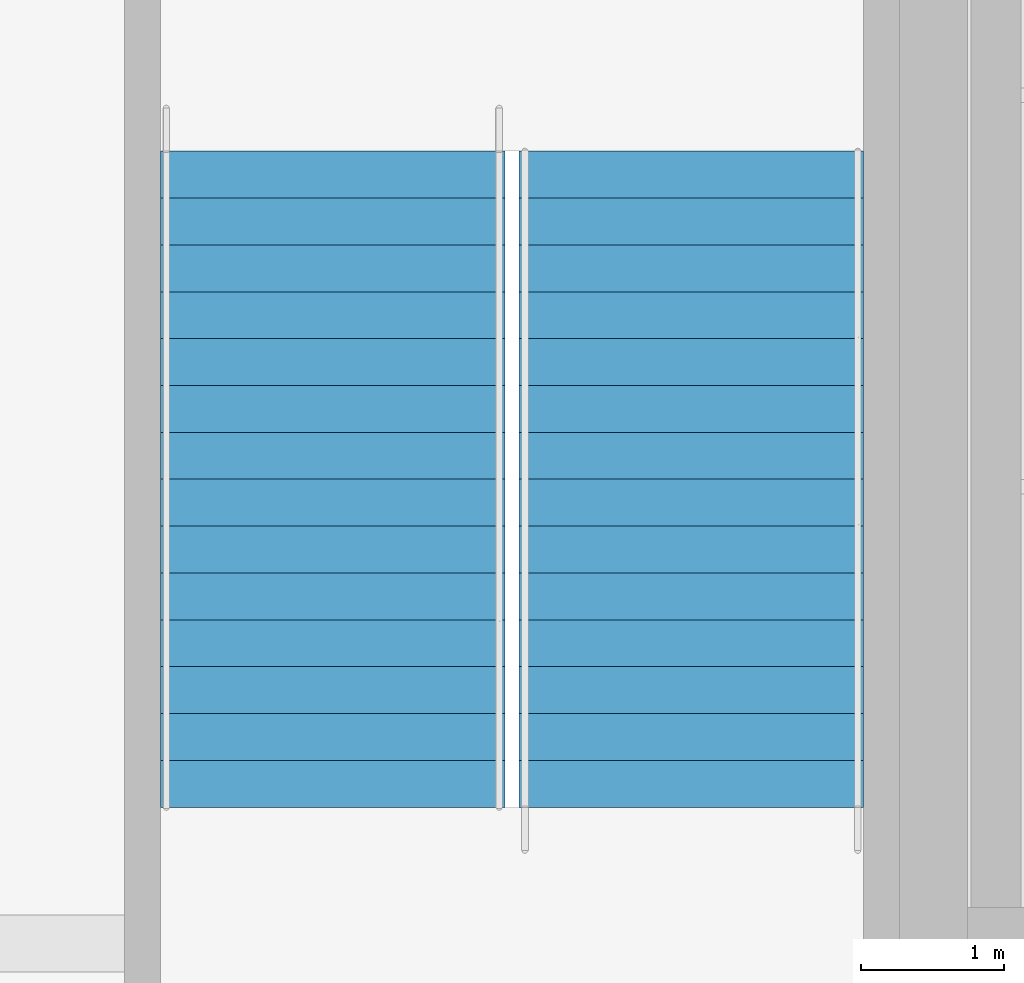
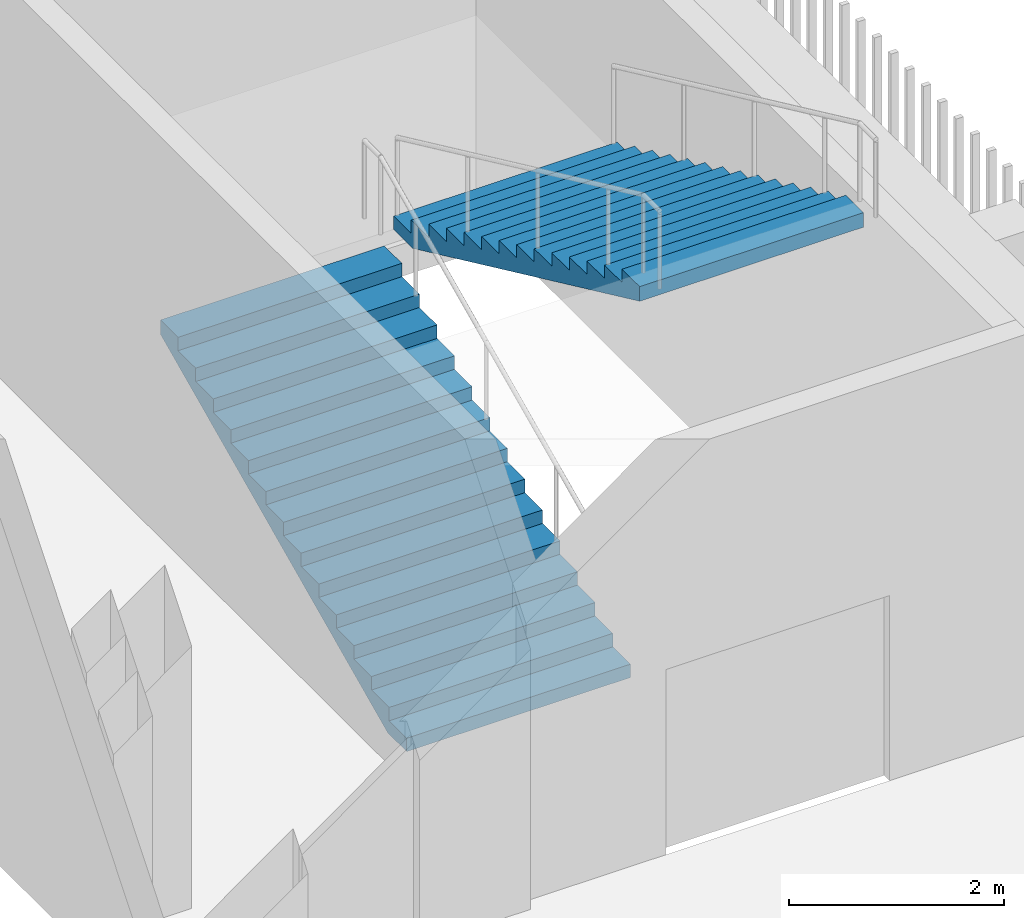
# One storey, part 85 of 124: 2 stair flights, 1 element without a shape of its own.
"""IFC4 building model written with IfcOpenShell, lengths in metres."""

import ifcopenshell
import ifcopenshell.guid

model = None  # the IFC model being written
_history = None  # IfcOwnerHistory: only IFC2X3 demands one
_inside = {}  # id of a spatial element -> (the spatial element, [elements in it])
_under = {}  # id of a project, library or spatial element -> (it, [spatial elements below it])
_declared = {}  # id of a project -> (the project, [libraries it declares])
_typed = {}  # id of a type object -> (the type object, [elements of that type])
_made_of = {}  # id of a material, layer set ... -> (it, [elements and type objects made of it])


def new_model(schema):
    """Start an empty IFC model of exactly this schema.

    Asked for "IFC4X3", IfcOpenShell would pick the latest addendum, in which some entities
    have other attributes; the version numbers below select the first issue.
    IFC2X3 requires an IfcOwnerHistory on every rooted entity: one is made here for all.
    """
    global model, _history
    if schema == "IFC4X3":
        model = ifcopenshell.file(schema_version=(4, 3, 0, 0))
    else:
        model = ifcopenshell.file(schema=schema)
    _inside.clear()
    _under.clear()
    _declared.clear()
    _typed.clear()
    _made_of.clear()
    _history = None
    if model.schema == "IFC2X3":
        org = make("IfcOrganization", Name="unknown")
        user = make(
            "IfcPersonAndOrganization",
            ThePerson=make("IfcPerson", FamilyName="unknown"),
            TheOrganization=org,
        )
        app = make(
            "IfcApplication",
            ApplicationDeveloper=org,
            Version="unknown",
            ApplicationFullName="unknown",
            ApplicationIdentifier="unknown",
        )
        _history = make(
            "IfcOwnerHistory",
            OwningUser=user,
            OwningApplication=app,
            ChangeAction="ADDED",
            CreationDate=0,
        )
    return model


def make(cls, **values):
    """One entity of the class cls with the attributes given. An attribute that is None is left unset."""
    return model.create_entity(
        cls, **{name: value for name, value in values.items() if value is not None}
    )


def rooted(cls, **values):
    """An entity with a GlobalId (a new one), such as an element, a storey or a relation."""
    return make(cls, GlobalId=ifcopenshell.guid.new(), OwnerHistory=_history, **values)


def si_unit(unit_type, name, prefix=None):
    """IfcSIUnit, for example si_unit("LENGTHUNIT", "METRE", prefix="MILLI")."""
    return make("IfcSIUnit", UnitType=unit_type, Prefix=prefix, Name=name)


def assignment(units):
    """IfcUnitAssignment: the units of a project."""
    return None if units is None else make("IfcUnitAssignment", Units=units)


def point(xyz):
    """IfcCartesianPoint."""
    return None if xyz is None else make("IfcCartesianPoint", Coordinates=xyz)


def direction(xyz):
    """IfcDirection."""
    return None if xyz is None else make("IfcDirection", DirectionRatios=xyz)


def frame(location, z_axis=None, x_axis=None):
    """IfcAxis2Placement3D, a coordinate frame: its origin and axes. An axis left out is left unset."""
    return make(
        "IfcAxis2Placement3D",
        Location=point(location),
        Axis=direction(z_axis),
        RefDirection=direction(x_axis),
    )


def origin():
    """The frame at (0, 0, 0) with its axes left unset."""
    return frame((0.0, 0.0, 0.0))


def place(relative_to, where):
    """IfcLocalPlacement: puts the frame where relative to a parent placement (None: the world)."""
    return make(
        "IfcLocalPlacement", PlacementRelTo=relative_to, RelativePlacement=where
    )


def context(
    kind, dimensions, precision=None, world=None, true_north=None, identifier=None
):
    """IfcGeometricRepresentationContext, for example the 3D "Model" context."""
    return make(
        "IfcGeometricRepresentationContext",
        ContextIdentifier=identifier,
        ContextType=kind,
        CoordinateSpaceDimension=dimensions,
        Precision=precision,
        WorldCoordinateSystem=world,
        TrueNorth=true_north,
    )


def subcontext(parent, identifier, kind, view, scale=None):
    """IfcGeometricRepresentationSubContext, for example "Body" below "Model"."""
    return make(
        "IfcGeometricRepresentationSubContext",
        ContextIdentifier=identifier,
        ContextType=kind,
        ParentContext=parent,
        TargetScale=scale,
        TargetView=view,
    )


def project(units=None, contexts=None):
    """IfcProject with its units and contexts."""
    return rooted(
        "IfcProject",
        Name="project",
        RepresentationContexts=contexts,
        UnitsInContext=assignment(units),
    )


def spatial(cls, under=None, at=None, **own):
    """A site, building, storey or space (cls), placed at a placement, below another one or the project."""
    s = rooted(cls, ObjectPlacement=at, **own)
    if under is not None:
        _under.setdefault(under.id(), (under, []))[1].append(s)
    return s


def polyline(points):
    """IfcPolyline through the points."""
    return make("IfcPolyline", Points=[point(p) for p in points])


def outline(outer, holes=None, kind="AREA"):
    """IfcArbitraryClosedProfileDef: a profile drawn as a closed curve; with holes, ...WithVoids."""
    if holes is None:
        return make("IfcArbitraryClosedProfileDef", ProfileType=kind, OuterCurve=outer)
    return make(
        "IfcArbitraryProfileDefWithVoids",
        ProfileType=kind,
        OuterCurve=outer,
        InnerCurves=holes,
    )


def extrude(swept, where, along, depth):
    """IfcExtrudedAreaSolid: the profile swept, set in the frame where, extruded along a direction by depth."""
    return make(
        "IfcExtrudedAreaSolid",
        SweptArea=swept,
        Position=where,
        ExtrudedDirection=direction(along),
        Depth=depth,
    )


def shape(context_of_items, identifier, shape_type, items):
    """IfcShapeRepresentation: the items that make up one representation, for example the "Body"."""
    return make(
        "IfcShapeRepresentation",
        ContextOfItems=context_of_items,
        RepresentationIdentifier=identifier,
        RepresentationType=shape_type,
        Items=items,
    )


def material(Name=None, Category=None):
    """IfcMaterial."""
    return make("IfcMaterial", Name=Name, Category=Category)


def made_of(thing, what):
    """Note that an element or type object is made of a material, layer set ...; save() writes the relation."""
    if what is not None:
        _made_of.setdefault(what.id(), (what, []))[1].append(thing)
    return thing


def type_object(cls, material=None, **own):
    """A type object (cls), such as IfcWallType, which elements share."""
    return made_of(rooted(cls, **own), material)


def element(
    cls,
    number,
    at=None,
    inside=None,
    cuts=None,
    type_object=None,
    material=None,
    context=None,
    identifier="Body",
    shape_type=None,
    held_by="IfcProductDefinitionShape",
    body=None,
    shapes=None,
    **own,
):
    """One element of the class cls, such as IfcWall. Its Tag is "e" and its number.

    at: its placement. inside: the storey or other place that contains it. cuts: it is an
    opening in that element (IfcRelVoidsElement). A single representation is given by context,
    identifier, shape_type and body (its items); several are given by shapes. held_by: the class
    of the entity that holds the representations. save() writes the other relations.
    """
    e = rooted(cls, Tag="e%d" % number, ObjectPlacement=at, **own)
    if body is not None:
        shapes = [shape(context, identifier, shape_type, body)]
    if shapes is not None:
        e.Representation = make(held_by, Representations=shapes)
    if inside is not None:
        _inside.setdefault(inside.id(), (inside, []))[1].append(e)
    if cuts is not None:
        rooted(
            "IfcRelVoidsElement", RelatingBuildingElement=cuts, RelatedOpeningElement=e
        )
    if type_object is not None:
        _typed.setdefault(type_object.id(), (type_object, []))[1].append(e)
    return made_of(e, material)


def aggregate(whole, parts):
    """IfcRelAggregates: a whole, such as a stair, and the parts it consists of."""
    return rooted("IfcRelAggregates", RelatingObject=whole, RelatedObjects=parts)


def save(model, path):
    """Write the relations noted so far, then the file.

    IfcRelAggregates (storeys below a building ...), IfcRelContainedInSpatialStructure (elements
    in a storey), IfcRelDefinesByType, IfcRelAssociatesMaterial and IfcRelDeclares: one each for
    every whole, place, type object, material and project.
    """
    for whole, parts in _under.values():
        aggregate(whole, parts)
    for where, things in _inside.values():
        rooted(
            "IfcRelContainedInSpatialStructure",
            RelatedElements=things,
            RelatingStructure=where,
        )
    for kind, things in _typed.values():
        rooted("IfcRelDefinesByType", RelatedObjects=things, RelatingType=kind)
    for what, things in _made_of.values():
        rooted("IfcRelAssociatesMaterial", RelatedObjects=things, RelatingMaterial=what)
    for by, libraries in _declared.values():
        rooted("IfcRelDeclares", RelatingContext=by, RelatedDefinitions=libraries)
    model.write(path)


model = new_model("IFC4")

# Units and contexts
model_context = context("Model", 3, precision=1e-05, world=origin(), true_north=direction((0.0, 1.0)))
body_context = subcontext(model_context, "Body", "Model", "MODEL_VIEW")
ifc_project = project(units=[si_unit("LENGTHUNIT", "METRE"), si_unit("AREAUNIT", "SQUARE_METRE"), si_unit("VOLUMEUNIT", "CUBIC_METRE"), si_unit("PLANEANGLEUNIT", "RADIAN"), si_unit("MASSUNIT", "GRAM", prefix="KILO")], contexts=[model_context])

# Site, building, storey
site_placement = place(None, origin())
site = spatial("IfcSite", under=ifc_project, at=site_placement, CompositionType="ELEMENT")
building_placement = place(site_placement, origin())
building = spatial("IfcBuilding", under=site, at=building_placement, Name="Shirokan Park Arena", CompositionType="ELEMENT")
storey_placement = place(building_placement, frame((0.0, 0.0, 20.02001953125)))
storey = spatial("IfcBuildingStorey", under=building, at=storey_placement, Name="L04", CompositionType="ELEMENT", Elevation=20.02001953125)

# Stair, stair flights
ifc_material = material(Name="Concrete C30 precast", Category="concrete")
stair_type = type_object("IfcStairType", Name="Stair 30 risers 152 x 327 2400 wide", PredefinedType="TWO_STRAIGHT_RUN_STAIR", material=ifc_material)
stair_placement = place(storey_placement, origin())
stair = element("IfcStair", 1, at=stair_placement, inside=storey, type_object=stair_type, Name="Exit Stair 3.A L04 to L05", PredefinedType="TWO_STRAIGHT_RUN_STAIR")
stair_flight_type = type_object("IfcStairFlightType", Name="Stair flight 15 risers 152 x 327 2400 wide", PredefinedType="STRAIGHT", material=ifc_material)
stair_flight_1_placement = place(storey_placement, frame((140.949951171875, 101.050048828125, 0.0), z_axis=(0.0, 0.0, 1.0), x_axis=(0.0, 1.0, 0.0)))
stair_flight_1 = element("IfcStairFlight", 2, at=stair_flight_1_placement, type_object=stair_flight_type, Name="ST16.5 flight 1", NumberOfRisers=15, NumberOfTreads=14, PredefinedType="STRAIGHT", RiserHeight=0.151666667, TreadLength=0.3267, context=body_context, shape_type="SweptSolid", body=[
    extrude(outline(polyline([(0.0, 0.0), (0.0, 0.151611328125), (0.32666015625, 0.151611328125), (0.32666015625, 0.30322265625), (0.6533203125, 0.30322265625), (0.6533203125, 0.455078125), (0.97998046875, 0.455078125), (0.97998046875, 0.606689453125), (1.306884765625, 0.606689453125), (1.306884765625, 0.75830078125), (1.633544921875, 0.75830078125), (1.633544921875, 0.909912109375), (1.960205078125, 0.909912109375), (1.960205078125, 1.061767578125), (2.286865234375, 1.061767578125), (2.286865234375, 1.21337890625), (2.613525390625, 1.21337890625), (2.613525390625, 1.364990234375), (2.940185546875, 1.364990234375), (2.940185546875, 1.5166015625), (3.26708984375, 1.5166015625), (3.26708984375, 1.668212890625), (3.59375, 1.668212890625), (3.59375, 1.820068359375), (3.92041015625, 1.820068359375), (3.92041015625, 1.9716796875), (4.2470703125, 1.9716796875), (4.2470703125, 2.123291015625), (4.57373046875, 2.123291015625), (4.57373046875, 2.27490234375), (4.57373046875, 1.9580078125), (0.35595703125, 0.0), (0.0, 0.0)])), frame((0.0, 1.199951171875, 0.0), z_axis=(0.0, -1.0, 0.0), x_axis=(1.0, 0.0, 0.0)), (0.0, 0.0, 1.0), 2.39990234375),
])
stair_flight_2_placement = place(storey_placement, frame((143.449951171875, 105.623779296875, 2.27490234375), z_axis=(0.0, 0.0, 1.0), x_axis=(0.0, -1.0, 0.0)))
stair_flight_2 = element("IfcStairFlight", 3, at=stair_flight_2_placement, type_object=stair_flight_type, Name="ST16.5 flight 2", NumberOfRisers=15, NumberOfTreads=14, PredefinedType="STRAIGHT", RiserHeight=0.151666667, TreadLength=0.3267, context=body_context, shape_type="SweptSolid", body=[
    extrude(outline(polyline([(0.0, 0.0), (0.0, 0.151611328125), (0.32666015625, 0.151611328125), (0.32666015625, 0.30322265625), (0.6533203125, 0.30322265625), (0.6533203125, 0.455078125), (0.97998046875, 0.455078125), (0.97998046875, 0.606689453125), (1.306884765625, 0.606689453125), (1.306884765625, 0.75830078125), (1.633544921875, 0.75830078125), (1.633544921875, 0.909912109375), (1.960205078125, 0.909912109375), (1.960205078125, 1.061767578125), (2.286865234375, 1.061767578125), (2.286865234375, 1.21337890625), (2.613525390625, 1.21337890625), (2.613525390625, 1.364990234375), (2.940185546875, 1.364990234375), (2.940185546875, 1.5166015625), (3.26708984375, 1.5166015625), (3.26708984375, 1.668212890625), (3.59375, 1.668212890625), (3.59375, 1.820068359375), (3.92041015625, 1.820068359375), (3.92041015625, 1.9716796875), (4.2470703125, 1.9716796875), (4.2470703125, 2.123291015625), (4.57373046875, 2.123291015625), (4.57373046875, 2.27490234375), (4.57373046875, 1.9580078125), (0.35595703125, 0.0), (0.0, 0.0)])), frame((0.0, 1.199951171875, 0.0), z_axis=(0.0, -1.0, 0.0), x_axis=(1.0, 0.0, 0.0)), (0.0, 0.0, 1.0), 2.39990234375),
])
aggregate(stair, [stair_flight_1, stair_flight_2])

save(model, "model.ifc")
